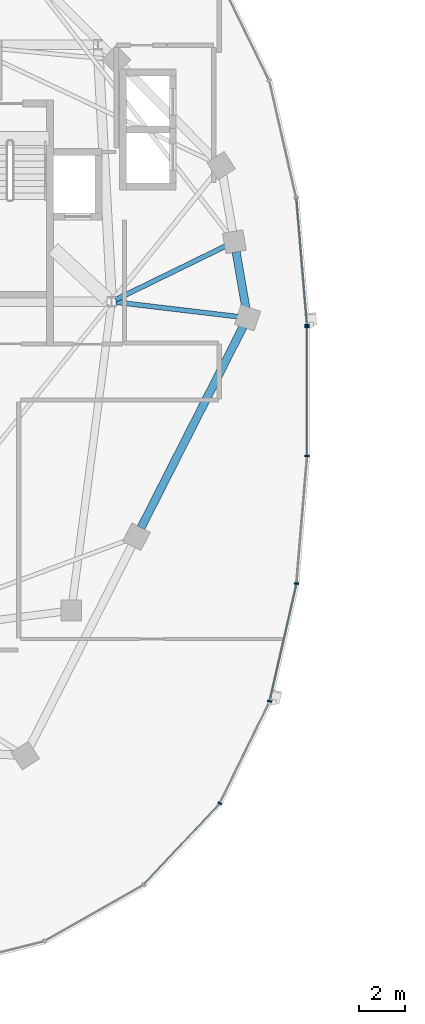
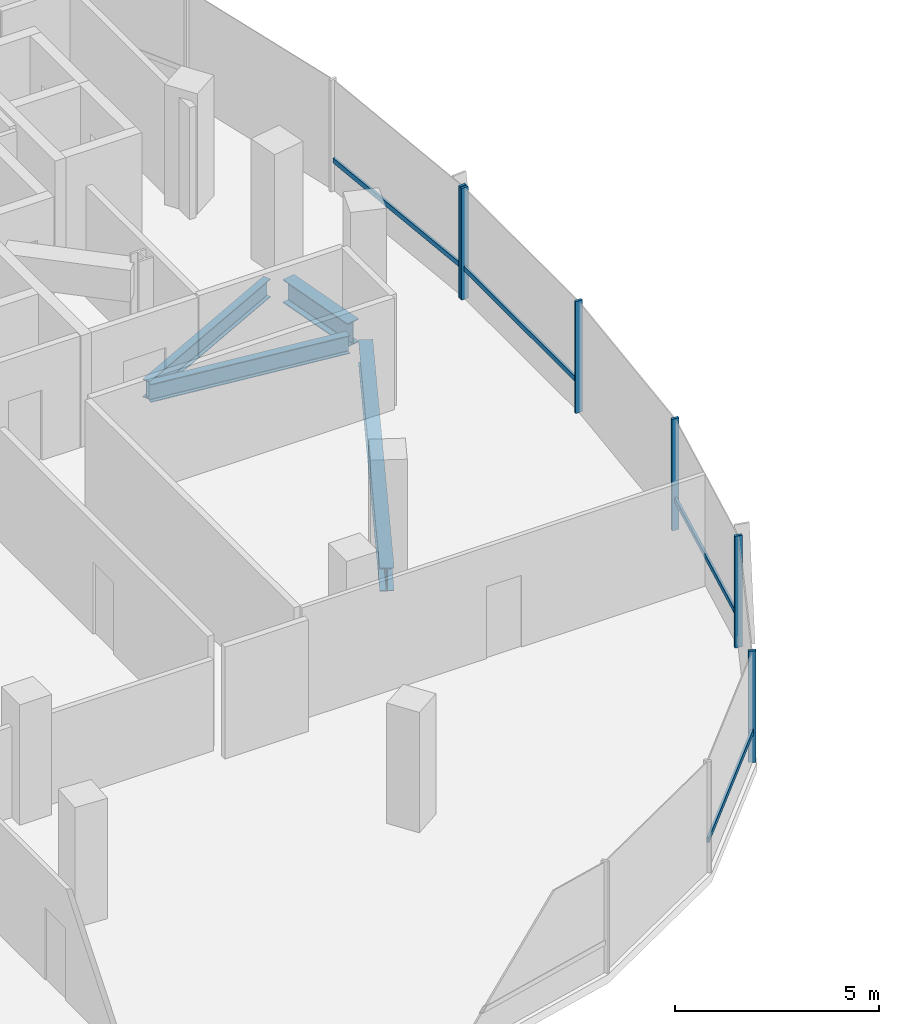
# One storey, part 5 of 25: 10 members, 4 beams, 2 elements without a shape of their own.
"""IFC4 building model written with IfcOpenShell, lengths in metres."""

from ifc_helpers import new_model, si_unit, direction, frame, origin, origin_2d, place, context, subcontext, project, spatial, rectangle, i_section, extrude, material, material_profile, profile_set, type_object, element, aggregate, save


model = new_model("IFC4")

# Units and contexts
model_context = context("Model", 3, precision=1e-05, world=origin(), true_north=direction((0.0, 1.0)))
body_context = subcontext(model_context, "Body", "Model", "MODEL_VIEW")
ifc_project = project(units=[si_unit("LENGTHUNIT", "METRE"), si_unit("AREAUNIT", "SQUARE_METRE"), si_unit("VOLUMEUNIT", "CUBIC_METRE"), si_unit("PLANEANGLEUNIT", "RADIAN"), si_unit("MASSUNIT", "GRAM", prefix="KILO"), si_unit("THERMODYNAMICTEMPERATUREUNIT", "KELVIN"), si_unit("POWERUNIT", "WATT")], contexts=[model_context])

# Site, building, storey
site_placement = place(None, origin())
site = spatial("IfcSite", under=ifc_project, at=site_placement, CompositionType="ELEMENT")
building_placement = place(site_placement, origin())
building = spatial("IfcBuilding", under=site, at=building_placement, Name="Cundina Bronze Exchange", CompositionType="ELEMENT")
storey_placement = place(building_placement, frame((0.0, 0.0, 213.39990234375)))
storey = spatial("IfcBuildingStorey", under=building, at=storey_placement, Name="L56", CompositionType="ELEMENT", Elevation=213.39990234375)

# Beams
ifc_material_1 = material(Name="Steel ASTM A992 Grade 50", Category="steel")
ifc_material_profile_1 = material_profile(ifc_material_1, i_section(OverallWidth=0.2119140625, OverallDepth=0.5439453125, WebThickness=0.01318359375, FlangeThickness=0.021240234375, FilletRadius=0.013916015625, at=origin_2d()), Name="W21X83", Category="steel")
ifc_profile_set_1 = profile_set([ifc_material_profile_1], Name="Steel ASTM A992 Grade 50")
beam_type_1 = type_object("IfcBeamType", Name="BM-FLR-W21A", PredefinedType="BEAM", material=ifc_profile_set_1)
beam_1_placement = place(storey_placement, frame((-21.25537109375, 3.876953125, -0.531982421875), z_axis=(0.993036786722, -0.117804669761, 0.0), x_axis=(0.117804669761, 0.993036786722, 0.0)))
element("IfcBeam", 1, at=beam_1_placement, inside=storey, type_object=beam_type_1, Name="L56 Leg W Radial Floor Beam 00", PredefinedType="BEAM", context=body_context, shape_type="SweptSolid", body=[
    extrude(i_section(OverallWidth=0.2119140625, OverallDepth=0.5439453125, WebThickness=0.01318359375, FlangeThickness=0.021240234375, FilletRadius=0.013916015625, at=origin_2d()), origin(), (0.0, 0.0, 1.0), 5.307373046875),
])
beam_2_placement = place(storey_placement, frame((-21.27392578125, 3.986083984375, -0.531982421875), z_axis=(0.898613202677, 0.438741737214, 0.0), x_axis=(-0.438741737214, 0.898613202677, 0.0)))
element("IfcBeam", 2, at=beam_2_placement, inside=storey, type_object=beam_type_1, Name="L56 Leg W Radial Floor Beam 01", PredefinedType="BEAM", context=body_context, shape_type="SweptSolid", body=[
    extrude(i_section(OverallWidth=0.2119140625, OverallDepth=0.5439453125, WebThickness=0.01318359375, FlangeThickness=0.021240234375, FilletRadius=0.013916015625, at=origin_2d()), origin(), (0.0, 0.0, 1.0), 5.2919921875),
])
ifc_material_profile_2 = material_profile(ifc_material_1, i_section(OverallWidth=0.35498046875, OverallDepth=0.695068359375, WebThickness=0.015380859375, FlangeThickness=0.02490234375, FilletRadius=0.01806640625, at=origin_2d()), Name="W27X146", Category="steel")
ifc_profile_set_2 = profile_set([ifc_material_profile_2], Name="Steel ASTM A992 Grade 50")
beam_type_2 = type_object("IfcBeamType", Name="BM-RING-W27", PredefinedType="USERDEFINED", material=ifc_profile_set_2)
beam_3_placement = place(storey_placement, frame((-15.625244140625, 3.631591796875, -0.607421875), z_axis=(-0.171628556628, 0.985161732179, 0.0), x_axis=(-0.985161732179, -0.171628556628, 0.0)))
element("IfcBeam", 3, at=beam_3_placement, inside=storey, type_object=beam_type_2, Name="L56 W Perimeter Ring Girder 00", ObjectType="GIRDER", PredefinedType="USERDEFINED", context=body_context, shape_type="SweptSolid", body=[
    extrude(i_section(OverallWidth=0.35498046875, OverallDepth=0.695068359375, WebThickness=0.015380859375, FlangeThickness=0.02490234375, FilletRadius=0.01806640625, at=origin_2d()), origin(), (0.0, 0.0, 1.0), 2.4736328125),
])
beam_4_placement = place(storey_placement, frame((-20.1767578125, -5.909423828125, -0.607421875), z_axis=(0.452846871434, 0.891588308039, 0.0), x_axis=(-0.891588308039, 0.452846871434, 0.0)))
element("IfcBeam", 4, at=beam_4_placement, inside=storey, type_object=beam_type_2, Name="L56 W Perimeter Ring Girder 13", ObjectType="GIRDER", PredefinedType="USERDEFINED", context=body_context, shape_type="SweptSolid", body=[
    extrude(i_section(OverallWidth=0.35498046875, OverallDepth=0.695068359375, WebThickness=0.015380859375, FlangeThickness=0.02490234375, FilletRadius=0.01806640625, at=origin_2d()), origin(), (0.0, 0.0, 1.0), 9.779052734375),
])

# Curtain wall, member
ifc_material_2 = material(Name="Anodised Bronze Aluminium 6063-T6", Category="aluminium")
curtain_wall_type = type_object("IfcCurtainWallType", Name="CWS-UPP-OFF", PredefinedType="NOTDEFINED", material=ifc_material_2)
curtain_wall_1_placement = place(storey_placement, origin())
curtain_wall_1 = element("IfcCurtainWall", 5, at=curtain_wall_1_placement, inside=storey, type_object=curtain_wall_type, Name="L56 CW-05 Curtain Wall Run CWR-L56-W1", PredefinedType="NOTDEFINED")
ifc_material_profile_3 = material_profile(ifc_material_2, rectangle(XDim=0.070068359375, YDim=0.18994140625, at=origin_2d()), Name="AL70X190", Category="aluminium")
ifc_profile_set_3 = profile_set([ifc_material_profile_3], Name="Anodised Bronze Aluminium 6063-T6")
member_type_1 = type_object("IfcMemberType", Name="CWM-MUL-190", PredefinedType="MULLION", material=ifc_profile_set_3)
member_1_placement = place(storey_placement, frame((-12.9697265625, 2.88330078125, 0.0), z_axis=(0.0, 0.0, 1.0), x_axis=(-0.083677843332, 0.99649285925, 0.0)))
member_1 = element("IfcMember", 6, at=member_1_placement, type_object=member_type_1, Name="CW-05 Mullion 1", PredefinedType="MULLION", context=body_context, shape_type="SweptSolid", body=[
    extrude(rectangle(XDim=0.070068359375, YDim=0.18994140625, at=origin_2d()), origin(), (0.0, 0.0, 1.0), 3.340087890625),
])

# Curtain wall, members
curtain_wall_2_placement = place(storey_placement, origin())
curtain_wall_2 = element("IfcCurtainWall", 7, at=curtain_wall_2_placement, inside=storey, type_object=curtain_wall_type, Name="L56 CW-05 Curtain Wall Run CWR-L56-W4", PredefinedType="NOTDEFINED")
member_2_placement = place(storey_placement, frame((-16.754638671875, -17.866455078125, 0.0), z_axis=(0.0, 0.0, 1.0), x_axis=(0.440566004113, 0.897720221461, 0.0)))
member_2 = element("IfcMember", 8, at=member_2_placement, type_object=member_type_1, Name="CW-05 Mullion 4", PredefinedType="MULLION", context=body_context, shape_type="SweptSolid", body=[
    extrude(rectangle(XDim=0.070068359375, YDim=0.18994140625, at=origin_2d()), origin(), (0.0, 0.0, 1.0), 3.340087890625),
])
member_3_placement = place(storey_placement, frame((-14.59228515625, -13.440673828125, 0.0), z_axis=(0.0, 0.0, 1.0), x_axis=(0.223250116011, 0.974761194191, 0.0)))
member_3 = element("IfcMember", 9, at=member_3_placement, type_object=member_type_1, Name="CW-05 Mullion 5", PredefinedType="MULLION", context=body_context, shape_type="SweptSolid", body=[
    extrude(rectangle(XDim=0.070068359375, YDim=0.18994140625, at=origin_2d()), origin(), (0.0, 0.0, 1.0), 3.340087890625),
])
member_4_placement = place(storey_placement, frame((-13.427490234375, -8.33056640625, 0.0), z_axis=(0.0, 0.0, 1.0), x_axis=(0.083677843332, 0.99649285925, 0.0)))
member_4 = element("IfcMember", 10, at=member_4_placement, type_object=member_type_1, Name="CW-05 Mullion 6", PredefinedType="MULLION", context=body_context, shape_type="SweptSolid", body=[
    extrude(rectangle(XDim=0.070068359375, YDim=0.18994140625, at=origin_2d()), origin(), (0.0, 0.0, 1.0), 3.340087890625),
])
member_5_placement = place(storey_placement, frame((-12.966064453125, -2.794921875, 0.0), z_axis=(0.0, 0.0, 1.0), x_axis=(0.0, 1.0, 0.0)))
member_5 = element("IfcMember", 11, at=member_5_placement, type_object=member_type_1, Name="CW-05 Mullion 7", PredefinedType="MULLION", context=body_context, shape_type="SweptSolid", body=[
    extrude(rectangle(XDim=0.070068359375, YDim=0.18994140625, at=origin_2d()), origin(), (0.0, 0.0, 1.0), 3.340087890625),
])
member_6_placement = place(storey_placement, frame((-12.966064453125, 2.794921875, 0.0), z_axis=(0.0, 0.0, 1.0), x_axis=(0.0, 1.0, 0.0)))
member_6 = element("IfcMember", 12, at=member_6_placement, type_object=member_type_1, Name="CW-05 End Mullion", PredefinedType="MULLION", context=body_context, shape_type="SweptSolid", body=[
    extrude(rectangle(XDim=0.070068359375, YDim=0.18994140625, at=origin_2d()), origin(), (0.0, 0.0, 1.0), 3.340087890625),
])

# Member
ifc_material_profile_4 = material_profile(ifc_material_2, rectangle(XDim=0.06494140625, YDim=0.14990234375, at=origin_2d()), Name="AL65X150", Category="aluminium")
ifc_profile_set_4 = profile_set([ifc_material_profile_4], Name="Anodised Bronze Aluminium 6063-T6")
member_type_2 = type_object("IfcMemberType", Name="CWM-TRN-150", PredefinedType="USERDEFINED", material=ifc_profile_set_4)
member_7_placement = place(storey_placement, frame((-12.972900390625, 2.921630859375, 0.920166015625), z_axis=(-0.083740331158, 0.996487610027, 0.0), x_axis=(-0.996487610027, -0.083740331158, 0.0)))
member_7 = element("IfcMember", 13, at=member_7_placement, type_object=member_type_2, Name="CW-05 Spandrel Transom 1", ObjectType="TRANSOM", PredefinedType="USERDEFINED", context=body_context, shape_type="SweptSolid", body=[
    extrude(rectangle(XDim=0.06494140625, YDim=0.14990234375, at=origin_2d()), origin(), (0.0, 0.0, 1.0), 5.466552734375),
])

aggregate(curtain_wall_1, [member_1, member_7])

member_8_placement = place(storey_placement, frame((-20.02490234375, -21.364501953125, 0.920166015625), z_axis=(0.684336416554, 0.729166420633, 0.0), x_axis=(-0.729166420633, 0.684336416554, 0.0)))
member_8 = element("IfcMember", 14, at=member_8_placement, type_object=member_type_2, Name="CW-05 Spandrel Transom 3", ObjectType="TRANSOM", PredefinedType="USERDEFINED", context=body_context, shape_type="SweptSolid", body=[
    extrude(rectangle(XDim=0.06494140625, YDim=0.14990234375, at=origin_2d()), origin(), (0.0, 0.0, 1.0), 4.76513671875),
])

member_9_placement = place(storey_placement, frame((-14.58349609375, -13.403076171875, 0.920166015625), z_axis=(0.22328343579, 0.974753562344, 0.0), x_axis=(-0.974753562344, 0.22328343579, 0.0)))
member_9 = element("IfcMember", 15, at=member_9_placement, type_object=member_type_2, Name="CW-05 Spandrel Transom 5", ObjectType="TRANSOM", PredefinedType="USERDEFINED", context=body_context, shape_type="SweptSolid", body=[
    extrude(rectangle(XDim=0.06494140625, YDim=0.14990234375, at=origin_2d()), origin(), (0.0, 0.0, 1.0), 5.159912109375),
])

member_10_placement = place(storey_placement, frame((-12.966064453125, -2.756591796875, 0.920166015625), z_axis=(0.0, 1.0, 0.0), x_axis=(-1.0, 0.0, 0.0)))
member_10 = element("IfcMember", 16, at=member_10_placement, type_object=member_type_2, Name="CW-05 Spandrel Transom 7", ObjectType="TRANSOM", PredefinedType="USERDEFINED", context=body_context, shape_type="SweptSolid", body=[
    extrude(rectangle(XDim=0.06494140625, YDim=0.14990234375, at=origin_2d()), origin(), (0.0, 0.0, 1.0), 5.51318359375),
])

aggregate(curtain_wall_2, [member_8, member_2, member_3, member_9, member_4, member_5, member_6, member_10])

save(model, "model.ifc")
